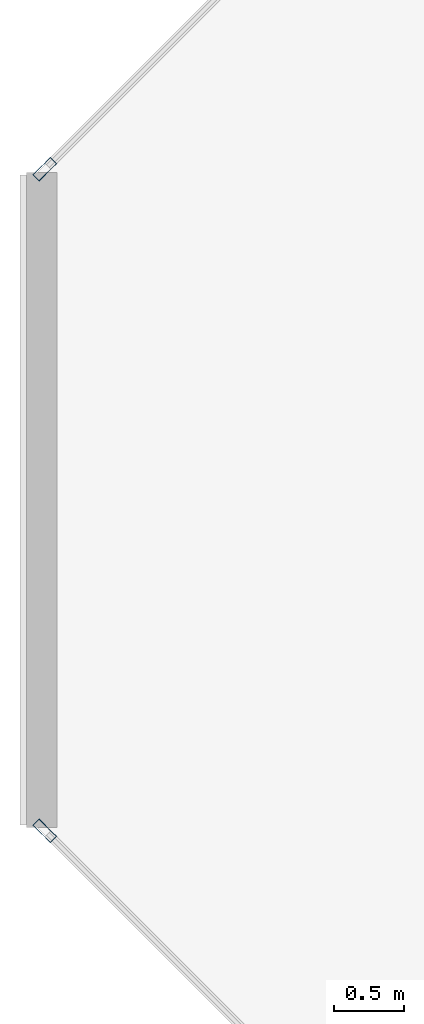
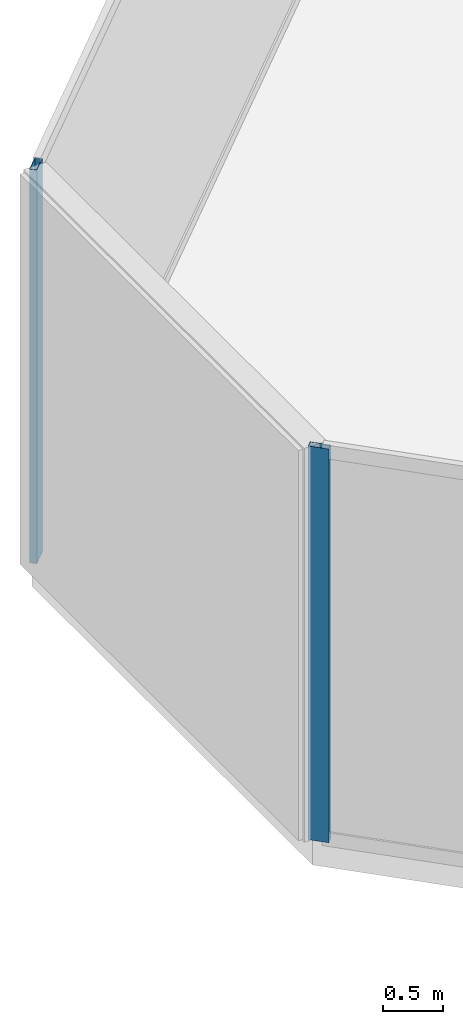
# One storey, part 4 of 16: 2 members, 2 elements without a shape of their own.
"""IFC4 building model written with IfcOpenShell, lengths in metres."""

from ifc_helpers import new_model, si_unit, direction, frame, origin, origin_2d, place, context, subcontext, project, spatial, hollow_rectangle, extrude, material, layer, layer_set, material_profile, profile_set, type_object, element, aggregate, save


model = new_model("IFC4")

# Units and contexts
model_context = context("Model", 3, precision=1e-05, world=origin(), true_north=direction((0.0, 1.0)))
body_context = subcontext(model_context, "Body", "Model", "MODEL_VIEW")
ifc_project = project(units=[si_unit("LENGTHUNIT", "METRE"), si_unit("AREAUNIT", "SQUARE_METRE"), si_unit("VOLUMEUNIT", "CUBIC_METRE"), si_unit("PLANEANGLEUNIT", "RADIAN"), si_unit("MASSUNIT", "GRAM", prefix="KILO")], contexts=[model_context])

# Site, building, storey
site_placement = place(None, origin())
site = spatial("IfcSite", under=ifc_project, at=site_placement, CompositionType="ELEMENT")
building_placement = place(site_placement, origin())
building = spatial("IfcBuilding", under=site, at=building_placement, Name="Tanjung Sevakor Pilgrim Tower", CompositionType="ELEMENT")
storey_placement = place(building_placement, frame((0.0, 0.0, 278.85009765625)))
storey = spatial("IfcBuildingStorey", under=building, at=storey_placement, Name="L78", CompositionType="ELEMENT", Elevation=278.85009765625)

# Curtain wall, member
ifc_material_1 = material(Name="Aluminium 6063-T6 and Low-E Glass", Category="aluminium")
ifc_layer = layer(ifc_material_1, 0.179931640625)
ifc_layer_set = layer_set([ifc_layer], Name="CW-SYS-CHAM")
curtain_wall_type = type_object("IfcCurtainWallType", Name="CW-SYS-CHAM", PredefinedType="NOTDEFINED", material=ifc_layer_set)
curtain_wall_1_placement = place(storey_placement, origin())
curtain_wall_1 = element("IfcCurtainWall", 1, at=curtain_wall_1_placement, inside=storey, type_object=curtain_wall_type, Name="L78 Curtain Wall CW-CHM-L78-EAST-5", PredefinedType="NOTDEFINED")
ifc_material_2 = material(Name="Aluminium 6063-T6", Category="aluminium")
ifc_material_profile = material_profile(ifc_material_2, hollow_rectangle(XDim=0.06494140625, YDim=0.179931640625, WallThickness=0.00390625, at=origin_2d()))
ifc_profile_set = profile_set([ifc_material_profile], Name="Aluminium 6063-T6")
member_type = type_object("IfcMemberType", Name="TYPE-CWM-1", PredefinedType="MULLION", material=ifc_profile_set)
member_1_placement = place(storey_placement, frame((52.23291015625, 35.977294921875, 0.0), z_axis=(0.0, 0.0, 1.0), x_axis=(0.707106781187, -0.707106781187, 0.0)))
member_1 = element("IfcMember", 2, at=member_1_placement, type_object=member_type, Name="CW-CHM mullion 2", PredefinedType="MULLION", context=body_context, shape_type="SweptSolid", body=[
    extrude(hollow_rectangle(XDim=0.06494140625, YDim=0.179931640625, WallThickness=0.00390625, at=origin_2d()), origin(), (0.0, 0.0, 1.0), 4.02978515625),
])
aggregate(curtain_wall_1, [member_1])

curtain_wall_2_placement = place(storey_placement, origin())
curtain_wall_2 = element("IfcCurtainWall", 3, at=curtain_wall_2_placement, inside=storey, type_object=curtain_wall_type, Name="L78 Curtain Wall CW-CHM-L78-EAST-7", PredefinedType="NOTDEFINED")
member_2_placement = place(storey_placement, frame((52.23291015625, 31.22265625, 0.0), z_axis=(0.0, 0.0, 1.0), x_axis=(0.707106781187, 0.707106781187, 0.0)))
member_2 = element("IfcMember", 4, at=member_2_placement, type_object=member_type, Name="CW-CHM mullion 1", PredefinedType="MULLION", context=body_context, shape_type="SweptSolid", body=[
    extrude(hollow_rectangle(XDim=0.06494140625, YDim=0.179931640625, WallThickness=0.00390625, at=origin_2d()), origin(), (0.0, 0.0, 1.0), 4.02978515625),
])
aggregate(curtain_wall_2, [member_2])

save(model, "model.ifc")
